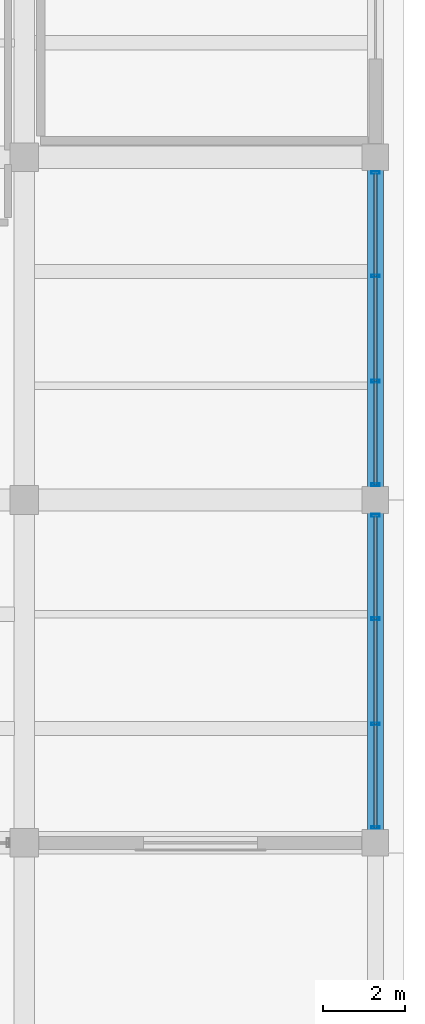
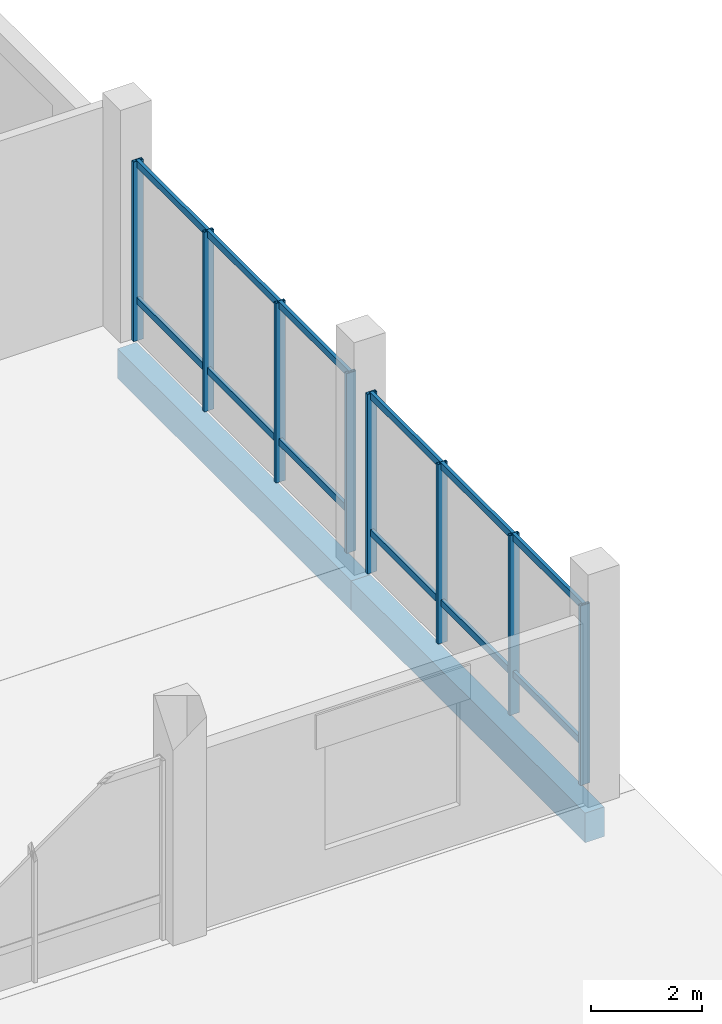
# One storey, part 46 of 73: 20 members, 2 beams, 2 elements without a shape of their own.
"""IFC4 building model written with IfcOpenShell, lengths in metres."""

from ifc_helpers import new_model, si_unit, direction, frame, origin, origin_2d, place, context, subcontext, project, spatial, rectangle, hollow_rectangle, extrude, material, layer, layer_set, material_profile, profile_set, type_object, element, aggregate, save


model = new_model("IFC4")

# Units and contexts
model_context = context("Model", 3, precision=1e-05, world=origin(), true_north=direction((0.0, 1.0)))
body_context = subcontext(model_context, "Body", "Model", "MODEL_VIEW")
ifc_project = project(units=[si_unit("LENGTHUNIT", "METRE"), si_unit("AREAUNIT", "SQUARE_METRE"), si_unit("VOLUMEUNIT", "CUBIC_METRE"), si_unit("PLANEANGLEUNIT", "RADIAN"), si_unit("MASSUNIT", "GRAM", prefix="KILO")], contexts=[model_context])

# Site, building, storey
site_placement = place(None, origin())
site = spatial("IfcSite", under=ifc_project, at=site_placement, CompositionType="ELEMENT")
building_placement = place(site_placement, origin())
building = spatial("IfcBuilding", under=site, at=building_placement, Name="Meriwether Solvik Hall", CompositionType="ELEMENT")
storey_placement = place(building_placement, origin())
storey = spatial("IfcBuildingStorey", under=building, at=storey_placement, Name="L00", CompositionType="ELEMENT", Elevation=0.0)

# Beams
ifc_material_1 = material(Name="Concrete C40/50", Category="concrete")
ifc_material_profile_1 = material_profile(ifc_material_1, rectangle(XDim=0.39990234375, YDim=0.64990234375, at=origin_2d()), Name="RCB-400X650")
ifc_profile_set_1 = profile_set([ifc_material_profile_1], Name="Concrete C40/50")
beam_type = type_object("IfcBeamType", Name="BM-RC-400X650", PredefinedType="SPANDREL", material=ifc_profile_set_1)
beam_1_placement = place(storey_placement, frame((166.800048828125, 50.0, -0.68505859375), z_axis=(0.0, 1.0, 0.0), x_axis=(-1.0, 0.0, 0.0)))
element("IfcBeam", 1, at=beam_1_placement, inside=storey, type_object=beam_type, Name="Podium Girder 19:F-G (L00)", PredefinedType="SPANDREL", context=body_context, shape_type="SweptSolid", body=[
    extrude(rectangle(XDim=0.39990234375, YDim=0.64990234375, at=origin_2d()), origin(), (0.0, 0.0, 1.0), 8.39990234375),
])
beam_2_placement = place(storey_placement, frame((166.800048828125, 58.39990234375, -0.68505859375), z_axis=(0.0, 1.0, 0.0), x_axis=(-1.0, 0.0, 0.0)))
element("IfcBeam", 2, at=beam_2_placement, inside=storey, type_object=beam_type, Name="Podium Girder 19:G-H (L00)", PredefinedType="SPANDREL", context=body_context, shape_type="SweptSolid", body=[
    extrude(rectangle(XDim=0.39990234375, YDim=0.64990234375, at=origin_2d()), origin(), (0.0, 0.0, 1.0), 8.400146484375),
])

# Curtain wall, members
ifc_material_2 = material(Name="Thermally Broken Anodised Aluminium 6063-T6 and Low-E Glass", Category="aluminium")
ifc_layer = layer(ifc_material_2, 0.179931640625)
ifc_layer_set = layer_set([ifc_layer], Name="Thermally Broken Anodised Aluminium 6063-T6 and Low-E Glass")
curtain_wall_type = type_object("IfcCurtainWallType", Name="CW-SF-POD-A", PredefinedType="USERDEFINED", material=ifc_layer_set)
curtain_wall_1_placement = place(storey_placement, origin())
curtain_wall_1 = element("IfcCurtainWall", 3, at=curtain_wall_1_placement, inside=storey, type_object=curtain_wall_type, Name="Curtain Wall wing_Y19_6_64 (L00)", ObjectType="STICK STOREFRONT GLAZING", PredefinedType="USERDEFINED")
ifc_material_3 = material(Name="Anodised Aluminium 6063-T6", Category="aluminium")
ifc_material_profile_2 = material_profile(ifc_material_3, hollow_rectangle(XDim=0.070068359375, YDim=0.199951171875, WallThickness=0.0048828125, at=origin_2d()), Name="CWM-70X200")
ifc_profile_set_2 = profile_set([ifc_material_profile_2], Name="Anodised Aluminium 6063-T6")
member_type_1 = type_object("IfcMemberType", Name="CW-MUL-70X200", PredefinedType="MULLION", material=ifc_profile_set_2)
member_1_placement = place(storey_placement, frame((166.800048828125, 58.02490234375, 0.0), z_axis=(0.0, 0.0, 1.0), x_axis=(0.0, -1.0, 0.0)))
member_1 = element("IfcMember", 4, at=member_1_placement, type_object=member_type_1, Name="Curtain Wall Mullion 1", PredefinedType="MULLION", context=body_context, shape_type="SweptSolid", body=[
    extrude(hollow_rectangle(XDim=0.070068359375, YDim=0.199951171875, WallThickness=0.0048828125, at=origin_2d()), origin(), (0.0, 0.0, 1.0), 3.93994140625),
])
member_2_placement = place(storey_placement, frame((166.800048828125, 55.487548828125, 0.0), z_axis=(0.0, 0.0, 1.0), x_axis=(0.0, -1.0, 0.0)))
member_2 = element("IfcMember", 5, at=member_2_placement, type_object=member_type_1, Name="Curtain Wall Mullion 2", PredefinedType="MULLION", context=body_context, shape_type="SweptSolid", body=[
    extrude(hollow_rectangle(XDim=0.070068359375, YDim=0.199951171875, WallThickness=0.0048828125, at=origin_2d()), origin(), (0.0, 0.0, 1.0), 3.93994140625),
])
member_3_placement = place(storey_placement, frame((166.800048828125, 52.912353515625, 0.0), z_axis=(0.0, 0.0, 1.0), x_axis=(0.0, -1.0, 0.0)))
member_3 = element("IfcMember", 6, at=member_3_placement, type_object=member_type_1, Name="Curtain Wall Mullion 3", PredefinedType="MULLION", context=body_context, shape_type="SweptSolid", body=[
    extrude(hollow_rectangle(XDim=0.070068359375, YDim=0.199951171875, WallThickness=0.0048828125, at=origin_2d()), origin(), (0.0, 0.0, 1.0), 3.93994140625),
])
member_4_placement = place(storey_placement, frame((166.800048828125, 50.375, 0.0), z_axis=(0.0, 0.0, 1.0), x_axis=(0.0, -1.0, 0.0)))
member_4 = element("IfcMember", 7, at=member_4_placement, type_object=member_type_1, Name="Curtain Wall Mullion 4", PredefinedType="MULLION", context=body_context, shape_type="SweptSolid", body=[
    extrude(hollow_rectangle(XDim=0.070068359375, YDim=0.199951171875, WallThickness=0.0048828125, at=origin_2d()), origin(), (0.0, 0.0, 1.0), 3.93994140625),
])

curtain_wall_2_placement = place(storey_placement, origin())
curtain_wall_2 = element("IfcCurtainWall", 8, at=curtain_wall_2_placement, inside=storey, type_object=curtain_wall_type, Name="Curtain Wall wing_Y19_7_65 (L00)", ObjectType="STICK STOREFRONT GLAZING", PredefinedType="USERDEFINED")
member_5_placement = place(storey_placement, frame((166.800048828125, 66.425048828125, 0.0), z_axis=(0.0, 0.0, 1.0), x_axis=(0.0, -1.0, 0.0)))
member_5 = element("IfcMember", 9, at=member_5_placement, type_object=member_type_1, Name="Curtain Wall Mullion 1", PredefinedType="MULLION", context=body_context, shape_type="SweptSolid", body=[
    extrude(hollow_rectangle(XDim=0.070068359375, YDim=0.199951171875, WallThickness=0.0048828125, at=origin_2d()), origin(), (0.0, 0.0, 1.0), 3.93994140625),
])
member_6_placement = place(storey_placement, frame((166.800048828125, 63.8876953125, 0.0), z_axis=(0.0, 0.0, 1.0), x_axis=(0.0, -1.0, 0.0)))
member_6 = element("IfcMember", 10, at=member_6_placement, type_object=member_type_1, Name="Curtain Wall Mullion 2", PredefinedType="MULLION", context=body_context, shape_type="SweptSolid", body=[
    extrude(hollow_rectangle(XDim=0.070068359375, YDim=0.199951171875, WallThickness=0.0048828125, at=origin_2d()), origin(), (0.0, 0.0, 1.0), 3.93994140625),
])
member_7_placement = place(storey_placement, frame((166.800048828125, 61.312255859375, 0.0), z_axis=(0.0, 0.0, 1.0), x_axis=(0.0, -1.0, 0.0)))
member_7 = element("IfcMember", 11, at=member_7_placement, type_object=member_type_1, Name="Curtain Wall Mullion 3", PredefinedType="MULLION", context=body_context, shape_type="SweptSolid", body=[
    extrude(hollow_rectangle(XDim=0.070068359375, YDim=0.199951171875, WallThickness=0.0048828125, at=origin_2d()), origin(), (0.0, 0.0, 1.0), 3.93994140625),
])
member_8_placement = place(storey_placement, frame((166.800048828125, 58.77490234375, 0.0), z_axis=(0.0, 0.0, 1.0), x_axis=(0.0, -1.0, 0.0)))
member_8 = element("IfcMember", 12, at=member_8_placement, type_object=member_type_1, Name="Curtain Wall Mullion 4", PredefinedType="MULLION", context=body_context, shape_type="SweptSolid", body=[
    extrude(hollow_rectangle(XDim=0.070068359375, YDim=0.199951171875, WallThickness=0.0048828125, at=origin_2d()), origin(), (0.0, 0.0, 1.0), 3.93994140625),
])

# Member
ifc_material_4 = material(Name="Anodised Aluminium 6063-T6", Category="aluminium")
ifc_material_profile_3 = material_profile(ifc_material_4, hollow_rectangle(XDim=0.070068359375, YDim=0.14990234375, WallThickness=0.0048828125, at=origin_2d()), Name="CWT-70X150")
ifc_profile_set_3 = profile_set([ifc_material_profile_3], Name="Anodised Aluminium 6063-T6")
member_type_2 = type_object("IfcMemberType", Name="CW-TRN-70X150", PredefinedType="USERDEFINED", material=ifc_profile_set_3)
member_9_placement = place(storey_placement, frame((166.800048828125, 58.02490234375, 0.8798828125), z_axis=(0.0, -1.0, 0.0), x_axis=(1.0, 0.0, 0.0)))
member_9 = element("IfcMember", 13, at=member_9_placement, type_object=member_type_2, Name="Curtain Wall Transom 1-sill", ObjectType="TRANSOM", PredefinedType="USERDEFINED", context=body_context, shape_type="SweptSolid", body=[
    extrude(hollow_rectangle(XDim=0.070068359375, YDim=0.14990234375, WallThickness=0.0048828125, at=origin_2d()), origin(), (0.0, 0.0, 1.0), 2.537353515625),
])

member_10_placement = place(storey_placement, frame((166.800048828125, 58.02490234375, 3.8798828125), z_axis=(0.0, -1.0, 0.0), x_axis=(1.0, 0.0, 0.0)))
member_10 = element("IfcMember", 14, at=member_10_placement, type_object=member_type_2, Name="Curtain Wall Transom 1-head", ObjectType="TRANSOM", PredefinedType="USERDEFINED", context=body_context, shape_type="SweptSolid", body=[
    extrude(hollow_rectangle(XDim=0.070068359375, YDim=0.14990234375, WallThickness=0.0048828125, at=origin_2d()), origin(), (0.0, 0.0, 1.0), 2.537353515625),
])

member_11_placement = place(storey_placement, frame((166.800048828125, 55.487548828125, 0.8798828125), z_axis=(0.0, -1.0, 0.0), x_axis=(1.0, 0.0, 0.0)))
member_11 = element("IfcMember", 15, at=member_11_placement, type_object=member_type_2, Name="Curtain Wall Transom 2-sill", ObjectType="TRANSOM", PredefinedType="USERDEFINED", context=body_context, shape_type="SweptSolid", body=[
    extrude(hollow_rectangle(XDim=0.070068359375, YDim=0.14990234375, WallThickness=0.0048828125, at=origin_2d()), origin(), (0.0, 0.0, 1.0), 2.5751953125),
])

member_12_placement = place(storey_placement, frame((166.800048828125, 55.487548828125, 3.8798828125), z_axis=(0.0, -1.0, 0.0), x_axis=(1.0, 0.0, 0.0)))
member_12 = element("IfcMember", 16, at=member_12_placement, type_object=member_type_2, Name="Curtain Wall Transom 2-head", ObjectType="TRANSOM", PredefinedType="USERDEFINED", context=body_context, shape_type="SweptSolid", body=[
    extrude(hollow_rectangle(XDim=0.070068359375, YDim=0.14990234375, WallThickness=0.0048828125, at=origin_2d()), origin(), (0.0, 0.0, 1.0), 2.5751953125),
])

member_13_placement = place(storey_placement, frame((166.800048828125, 52.912353515625, 0.8798828125), z_axis=(0.0, -1.0, 0.0), x_axis=(1.0, 0.0, 0.0)))
member_13 = element("IfcMember", 17, at=member_13_placement, type_object=member_type_2, Name="Curtain Wall Transom 3-sill", ObjectType="TRANSOM", PredefinedType="USERDEFINED", context=body_context, shape_type="SweptSolid", body=[
    extrude(hollow_rectangle(XDim=0.070068359375, YDim=0.14990234375, WallThickness=0.0048828125, at=origin_2d()), origin(), (0.0, 0.0, 1.0), 2.537353515625),
])

member_14_placement = place(storey_placement, frame((166.800048828125, 52.912353515625, 3.8798828125), z_axis=(0.0, -1.0, 0.0), x_axis=(1.0, 0.0, 0.0)))
member_14 = element("IfcMember", 18, at=member_14_placement, type_object=member_type_2, Name="Curtain Wall Transom 3-head", ObjectType="TRANSOM", PredefinedType="USERDEFINED", context=body_context, shape_type="SweptSolid", body=[
    extrude(hollow_rectangle(XDim=0.070068359375, YDim=0.14990234375, WallThickness=0.0048828125, at=origin_2d()), origin(), (0.0, 0.0, 1.0), 2.537353515625),
])

aggregate(curtain_wall_1, [member_1, member_2, member_3, member_4, member_9, member_10, member_11, member_12, member_13, member_14])

member_15_placement = place(storey_placement, frame((166.800048828125, 66.425048828125, 0.8798828125), z_axis=(0.0, -1.0, 0.0), x_axis=(1.0, 0.0, 0.0)))
member_15 = element("IfcMember", 19, at=member_15_placement, type_object=member_type_2, Name="Curtain Wall Transom 1-sill", ObjectType="TRANSOM", PredefinedType="USERDEFINED", context=body_context, shape_type="SweptSolid", body=[
    extrude(hollow_rectangle(XDim=0.070068359375, YDim=0.14990234375, WallThickness=0.0048828125, at=origin_2d()), origin(), (0.0, 0.0, 1.0), 2.537353515625),
])

member_16_placement = place(storey_placement, frame((166.800048828125, 66.425048828125, 3.8798828125), z_axis=(0.0, -1.0, 0.0), x_axis=(1.0, 0.0, 0.0)))
member_16 = element("IfcMember", 20, at=member_16_placement, type_object=member_type_2, Name="Curtain Wall Transom 1-head", ObjectType="TRANSOM", PredefinedType="USERDEFINED", context=body_context, shape_type="SweptSolid", body=[
    extrude(hollow_rectangle(XDim=0.070068359375, YDim=0.14990234375, WallThickness=0.0048828125, at=origin_2d()), origin(), (0.0, 0.0, 1.0), 2.537353515625),
])

member_17_placement = place(storey_placement, frame((166.800048828125, 63.8876953125, 0.8798828125), z_axis=(0.0, -1.0, 0.0), x_axis=(1.0, 0.0, 0.0)))
member_17 = element("IfcMember", 21, at=member_17_placement, type_object=member_type_2, Name="Curtain Wall Transom 2-sill", ObjectType="TRANSOM", PredefinedType="USERDEFINED", context=body_context, shape_type="SweptSolid", body=[
    extrude(hollow_rectangle(XDim=0.070068359375, YDim=0.14990234375, WallThickness=0.0048828125, at=origin_2d()), origin(), (0.0, 0.0, 1.0), 2.575439453125),
])

member_18_placement = place(storey_placement, frame((166.800048828125, 63.8876953125, 3.8798828125), z_axis=(0.0, -1.0, 0.0), x_axis=(1.0, 0.0, 0.0)))
member_18 = element("IfcMember", 22, at=member_18_placement, type_object=member_type_2, Name="Curtain Wall Transom 2-head", ObjectType="TRANSOM", PredefinedType="USERDEFINED", context=body_context, shape_type="SweptSolid", body=[
    extrude(hollow_rectangle(XDim=0.070068359375, YDim=0.14990234375, WallThickness=0.0048828125, at=origin_2d()), origin(), (0.0, 0.0, 1.0), 2.575439453125),
])

member_19_placement = place(storey_placement, frame((166.800048828125, 61.312255859375, 0.8798828125), z_axis=(0.0, -1.0, 0.0), x_axis=(1.0, 0.0, 0.0)))
member_19 = element("IfcMember", 23, at=member_19_placement, type_object=member_type_2, Name="Curtain Wall Transom 3-sill", ObjectType="TRANSOM", PredefinedType="USERDEFINED", context=body_context, shape_type="SweptSolid", body=[
    extrude(hollow_rectangle(XDim=0.070068359375, YDim=0.14990234375, WallThickness=0.0048828125, at=origin_2d()), origin(), (0.0, 0.0, 1.0), 2.537353515625),
])

member_20_placement = place(storey_placement, frame((166.800048828125, 61.312255859375, 3.8798828125), z_axis=(0.0, -1.0, 0.0), x_axis=(1.0, 0.0, 0.0)))
member_20 = element("IfcMember", 24, at=member_20_placement, type_object=member_type_2, Name="Curtain Wall Transom 3-head", ObjectType="TRANSOM", PredefinedType="USERDEFINED", context=body_context, shape_type="SweptSolid", body=[
    extrude(hollow_rectangle(XDim=0.070068359375, YDim=0.14990234375, WallThickness=0.0048828125, at=origin_2d()), origin(), (0.0, 0.0, 1.0), 2.537353515625),
])

aggregate(curtain_wall_2, [member_5, member_6, member_7, member_8, member_15, member_16, member_17, member_18, member_19, member_20])

save(model, "model.ifc")
